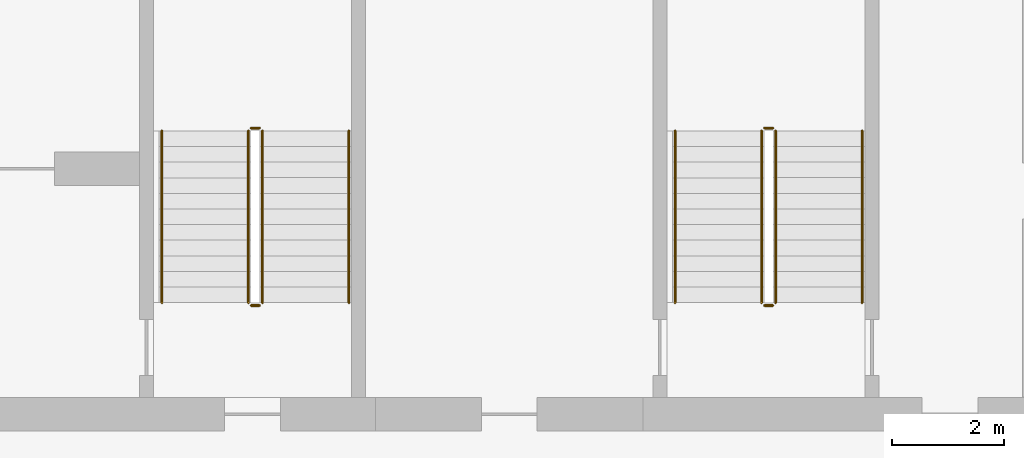
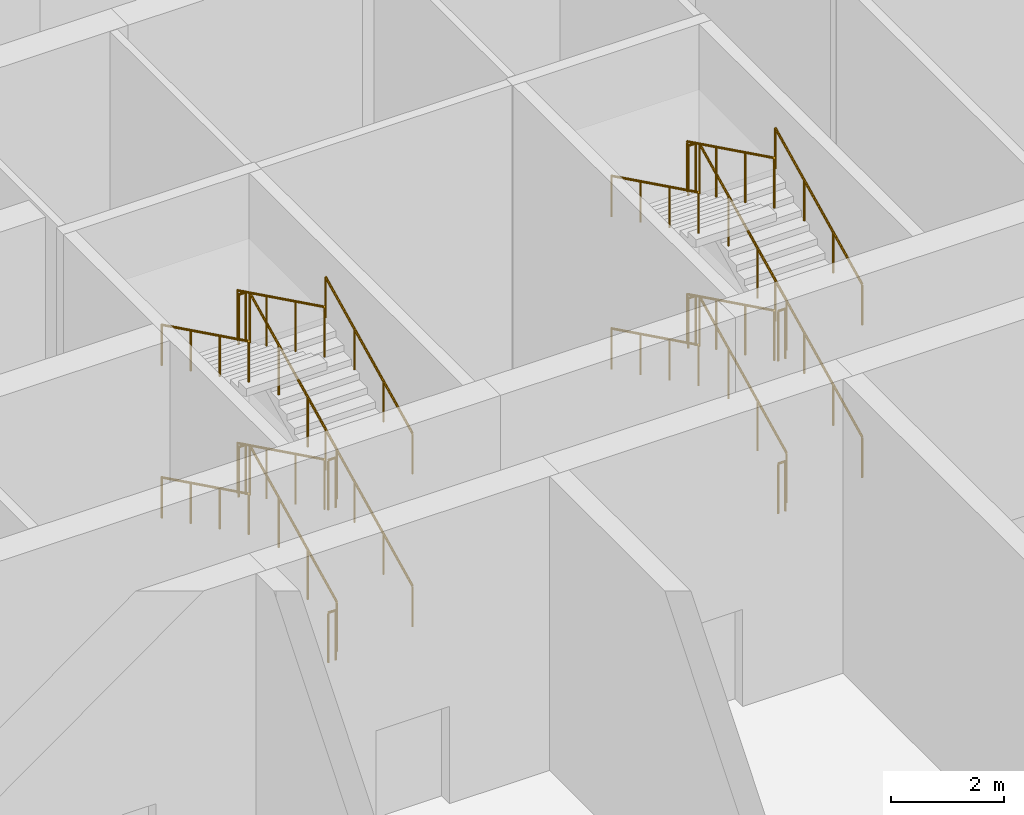
# One storey, part 15 of 15: 24 railings.
"""IFC4 building model written with IfcOpenShell, lengths in metres."""

from ifc_helpers import new_model, si_unit, direction, frame, origin, origin_2d, place, context, subcontext, project, spatial, circle, extrude, material, type_object, element, save


model = new_model("IFC4")

# Units and contexts
model_context = context("Model", 3, precision=1e-05, world=origin(), true_north=direction((0.0, 1.0)))
body_context = subcontext(model_context, "Body", "Model", "MODEL_VIEW")
ifc_project = project(units=[si_unit("LENGTHUNIT", "METRE"), si_unit("AREAUNIT", "SQUARE_METRE"), si_unit("VOLUMEUNIT", "CUBIC_METRE"), si_unit("PLANEANGLEUNIT", "RADIAN"), si_unit("MASSUNIT", "GRAM", prefix="KILO")], contexts=[model_context])

# Site, building, storey
site_placement = place(None, origin())
site = spatial("IfcSite", under=ifc_project, at=site_placement, CompositionType="ELEMENT")
building_placement = place(site_placement, origin())
building = spatial("IfcBuilding", under=site, at=building_placement, Name="Poui Terraces", CompositionType="ELEMENT")
storey_placement = place(building_placement, frame((0.0, 0.0, 66.300048828125)))
storey = spatial("IfcBuildingStorey", under=building, at=storey_placement, Name="L18", CompositionType="ELEMENT", Elevation=66.300048828125)

# Railings
ifc_material_1 = material(Name="Galvanised steel balustrade", Category="steel")
railing_type_1 = type_object("IfcRailingType", Name="STAIR GUARD 1100", PredefinedType="GUARDRAIL", material=ifc_material_1)
railing_1_placement = place(storey_placement, frame((70.27490234375, 16.60009765625, 0.137451171875)))
element("IfcRailing", 1, at=railing_1_placement, inside=storey, type_object=railing_type_1, Name="L18 ST-CE stair guard 1", PredefinedType="GUARDRAIL", context=body_context, shape_type="SweptSolid", body=[
    extrude(circle(Radius=0.02392578125, at=origin_2d()), frame((0.0, 0.0, 1.076171875), z_axis=(0.0, 0.897606190399, 0.440798283751), x_axis=(-1.0, 0.0, 0.0)), (0.0, 0.0, 1.0), 3.43115234375),
    extrude(circle(Radius=0.02099609375, at=origin_2d()), origin(), (0.0, 0.0, 1.0), 1.052001953125),
    extrude(circle(Radius=0.02099609375, at=origin_2d()), frame((0.0, 1.026611328125, 0.504150390625)), (0.0, 0.0, 1.0), 1.052001953125),
    extrude(circle(Radius=0.02099609375, at=origin_2d()), frame((0.0, 2.05322265625, 1.00830078125)), (0.0, 0.0, 1.0), 1.052001953125),
    extrude(circle(Radius=0.02099609375, at=origin_2d()), frame((0.0, 3.079833984375, 1.512451171875)), (0.0, 0.0, 1.0), 1.052001953125),
])
railing_2_placement = place(storey_placement, frame((70.22509765625, 19.72998046875, 1.64990234375)))
element("IfcRailing", 2, at=railing_2_placement, inside=storey, type_object=railing_type_1, Name="L18 ST-CE stair guard 2", PredefinedType="GUARDRAIL", context=body_context, shape_type="SweptSolid", body=[
    extrude(circle(Radius=0.02392578125, at=origin_2d()), frame((0.0, 0.0, 1.076171875), z_axis=(-1.0, 0.0, 0.0), x_axis=(0.0, -1.0, 0.0)), (0.0, 0.0, 1.0), 0.150146484375),
    extrude(circle(Radius=0.02099609375, at=origin_2d()), origin(), (0.0, 0.0, 1.0), 1.052001953125),
    extrude(circle(Radius=0.02099609375, at=origin_2d()), frame((-0.150146484375, 0.0, 0.0)), (0.0, 0.0, 1.0), 1.052001953125),
])
railing_3_placement = place(storey_placement, frame((70.02490234375, 19.679931640625, 1.787353515625)))
element("IfcRailing", 3, at=railing_3_placement, inside=storey, type_object=railing_type_1, Name="L18 ST-CE stair guard 3", PredefinedType="GUARDRAIL", context=body_context, shape_type="SweptSolid", body=[
    extrude(circle(Radius=0.02392578125, at=origin_2d()), frame((0.0, 0.0, 1.076171875), z_axis=(0.0, -0.897578036475, 0.440855609512), x_axis=(1.0, 0.0, 0.0)), (0.0, 0.0, 1.0), 3.43115234375),
    extrude(circle(Radius=0.02099609375, at=origin_2d()), origin(), (0.0, 0.0, 1.0), 1.052001953125),
    extrude(circle(Radius=0.02099609375, at=origin_2d()), frame((0.0, -1.026611328125, 0.504150390625)), (0.0, 0.0, 1.0), 1.052001953125),
    extrude(circle(Radius=0.02099609375, at=origin_2d()), frame((0.0, -2.05322265625, 1.008544921875)), (0.0, 0.0, 1.0), 1.052001953125),
    extrude(circle(Radius=0.02099609375, at=origin_2d()), frame((0.0, -3.079833984375, 1.5126953125)), (0.0, 0.0, 1.0), 1.052001953125),
])
railing_4_placement = place(storey_placement, frame((70.22509765625, 16.550048828125, 3.300048828125)))
element("IfcRailing", 4, at=railing_4_placement, inside=storey, type_object=railing_type_1, Name="L18 ST-CE stair guard 4", PredefinedType="GUARDRAIL", context=body_context, shape_type="SweptSolid", body=[
    extrude(circle(Radius=0.02392578125, at=origin_2d()), frame((0.0, 0.0, 1.076171875), z_axis=(-1.0, 0.0, 0.0), x_axis=(0.0, -1.0, 0.0)), (0.0, 0.0, 1.0), 0.150146484375),
    extrude(circle(Radius=0.02099609375, at=origin_2d()), origin(), (0.0, 0.0, 1.0), 1.052001953125),
    extrude(circle(Radius=0.02099609375, at=origin_2d()), frame((-0.150146484375, 0.0, 0.0)), (0.0, 0.0, 1.0), 1.052001953125),
])
railing_5_placement = place(storey_placement, frame((70.27490234375, 16.60009765625, 3.4375)))
element("IfcRailing", 5, at=railing_5_placement, inside=storey, type_object=railing_type_1, Name="L18 ST-CE stair guard 5", PredefinedType="GUARDRAIL", context=body_context, shape_type="SweptSolid", body=[
    extrude(circle(Radius=0.02392578125, at=origin_2d()), frame((0.0, 0.0, 1.076171875), z_axis=(0.0, 0.897606190399, 0.440798283751), x_axis=(-1.0, 0.0, 0.0)), (0.0, 0.0, 1.0), 3.43115234375),
    extrude(circle(Radius=0.02099609375, at=origin_2d()), origin(), (0.0, 0.0, 1.0), 1.052001953125),
    extrude(circle(Radius=0.02099609375, at=origin_2d()), frame((0.0, 1.026611328125, 0.504150390625)), (0.0, 0.0, 1.0), 1.052001953125),
    extrude(circle(Radius=0.02099609375, at=origin_2d()), frame((0.0, 2.05322265625, 1.00830078125)), (0.0, 0.0, 1.0), 1.052001953125),
    extrude(circle(Radius=0.02099609375, at=origin_2d()), frame((0.0, 3.079833984375, 1.512451171875)), (0.0, 0.0, 1.0), 1.052001953125),
])
railing_6_placement = place(storey_placement, frame((70.22509765625, 19.72998046875, 4.949951171875)))
element("IfcRailing", 6, at=railing_6_placement, inside=storey, type_object=railing_type_1, Name="L18 ST-CE stair guard 6", PredefinedType="GUARDRAIL", context=body_context, shape_type="SweptSolid", body=[
    extrude(circle(Radius=0.02392578125, at=origin_2d()), frame((0.0, 0.0, 1.076171875), z_axis=(-1.0, 0.0, 0.0), x_axis=(0.0, -1.0, 0.0)), (0.0, 0.0, 1.0), 0.150146484375),
    extrude(circle(Radius=0.02099609375, at=origin_2d()), origin(), (0.0, 0.0, 1.0), 1.052001953125),
    extrude(circle(Radius=0.02099609375, at=origin_2d()), frame((-0.150146484375, 0.0, 0.0)), (0.0, 0.0, 1.0), 1.052001953125),
])
railing_7_placement = place(storey_placement, frame((70.02490234375, 19.679931640625, 5.08740234375)))
element("IfcRailing", 7, at=railing_7_placement, inside=storey, type_object=railing_type_1, Name="L18 ST-CE stair guard 7", PredefinedType="GUARDRAIL", context=body_context, shape_type="SweptSolid", body=[
    extrude(circle(Radius=0.02392578125, at=origin_2d()), frame((0.0, 0.0, 1.076171875), z_axis=(0.0, -0.897606190399, 0.440798283751), x_axis=(1.0, 0.0, 0.0)), (0.0, 0.0, 1.0), 3.43115234375),
    extrude(circle(Radius=0.02099609375, at=origin_2d()), origin(), (0.0, 0.0, 1.0), 1.052001953125),
    extrude(circle(Radius=0.02099609375, at=origin_2d()), frame((0.0, -1.026611328125, 0.504150390625)), (0.0, 0.0, 1.0), 1.052001953125),
    extrude(circle(Radius=0.02099609375, at=origin_2d()), frame((0.0, -2.05322265625, 1.00830078125)), (0.0, 0.0, 1.0), 1.052001953125),
    extrude(circle(Radius=0.02099609375, at=origin_2d()), frame((0.0, -3.079833984375, 1.512451171875)), (0.0, 0.0, 1.0), 1.052001953125),
])
railing_8_placement = place(storey_placement, frame((70.22509765625, 16.550048828125, 0.0)))
element("IfcRailing", 8, at=railing_8_placement, inside=storey, type_object=railing_type_1, Name="L18 ST-CE stair guard 8", PredefinedType="GUARDRAIL", context=body_context, shape_type="SweptSolid", body=[
    extrude(circle(Radius=0.02392578125, at=origin_2d()), frame((0.0, 0.0, 1.076171875), z_axis=(-1.0, 0.0, 0.0), x_axis=(0.0, -1.0, 0.0)), (0.0, 0.0, 1.0), 0.150146484375),
    extrude(circle(Radius=0.02099609375, at=origin_2d()), origin(), (0.0, 0.0, 1.0), 1.052001953125),
    extrude(circle(Radius=0.02099609375, at=origin_2d()), frame((-0.150146484375, 0.0, 0.0)), (0.0, 0.0, 1.0), 1.052001953125),
])
railing_9_placement = place(storey_placement, frame((79.47509765625, 16.60009765625, 0.137451171875)))
element("IfcRailing", 9, at=railing_9_placement, inside=storey, type_object=railing_type_1, Name="L18 ST-E stair guard 1", PredefinedType="GUARDRAIL", context=body_context, shape_type="SweptSolid", body=[
    extrude(circle(Radius=0.02392578125, at=origin_2d()), frame((0.0, 0.0, 1.076171875), z_axis=(0.0, 0.897606190399, 0.440798283751), x_axis=(-1.0, 0.0, 0.0)), (0.0, 0.0, 1.0), 3.43115234375),
    extrude(circle(Radius=0.02099609375, at=origin_2d()), origin(), (0.0, 0.0, 1.0), 1.052001953125),
    extrude(circle(Radius=0.02099609375, at=origin_2d()), frame((0.0, 1.026611328125, 0.504150390625)), (0.0, 0.0, 1.0), 1.052001953125),
    extrude(circle(Radius=0.02099609375, at=origin_2d()), frame((0.0, 2.05322265625, 1.00830078125)), (0.0, 0.0, 1.0), 1.052001953125),
    extrude(circle(Radius=0.02099609375, at=origin_2d()), frame((0.0, 3.079833984375, 1.512451171875)), (0.0, 0.0, 1.0), 1.052001953125),
])
railing_10_placement = place(storey_placement, frame((79.425048828125, 19.72998046875, 1.64990234375)))
element("IfcRailing", 10, at=railing_10_placement, inside=storey, type_object=railing_type_1, Name="L18 ST-E stair guard 2", PredefinedType="GUARDRAIL", context=body_context, shape_type="SweptSolid", body=[
    extrude(circle(Radius=0.02392578125, at=origin_2d()), frame((0.0, 0.0, 1.076171875), z_axis=(-1.0, 0.0, 0.0), x_axis=(0.0, -1.0, 0.0)), (0.0, 0.0, 1.0), 0.150146484375),
    extrude(circle(Radius=0.02099609375, at=origin_2d()), origin(), (0.0, 0.0, 1.0), 1.052001953125),
    extrude(circle(Radius=0.02099609375, at=origin_2d()), frame((-0.150146484375, 0.0, 0.0)), (0.0, 0.0, 1.0), 1.052001953125),
])
railing_11_placement = place(storey_placement, frame((79.22509765625, 19.679931640625, 1.787353515625)))
element("IfcRailing", 11, at=railing_11_placement, inside=storey, type_object=railing_type_1, Name="L18 ST-E stair guard 3", PredefinedType="GUARDRAIL", context=body_context, shape_type="SweptSolid", body=[
    extrude(circle(Radius=0.02392578125, at=origin_2d()), frame((0.0, 0.0, 1.076171875), z_axis=(0.0, -0.897578036475, 0.440855609512), x_axis=(1.0, 0.0, 0.0)), (0.0, 0.0, 1.0), 3.43115234375),
    extrude(circle(Radius=0.02099609375, at=origin_2d()), origin(), (0.0, 0.0, 1.0), 1.052001953125),
    extrude(circle(Radius=0.02099609375, at=origin_2d()), frame((0.0, -1.026611328125, 0.504150390625)), (0.0, 0.0, 1.0), 1.052001953125),
    extrude(circle(Radius=0.02099609375, at=origin_2d()), frame((0.0, -2.05322265625, 1.008544921875)), (0.0, 0.0, 1.0), 1.052001953125),
    extrude(circle(Radius=0.02099609375, at=origin_2d()), frame((0.0, -3.079833984375, 1.5126953125)), (0.0, 0.0, 1.0), 1.052001953125),
])
railing_12_placement = place(storey_placement, frame((79.425048828125, 16.550048828125, 3.300048828125)))
element("IfcRailing", 12, at=railing_12_placement, inside=storey, type_object=railing_type_1, Name="L18 ST-E stair guard 4", PredefinedType="GUARDRAIL", context=body_context, shape_type="SweptSolid", body=[
    extrude(circle(Radius=0.02392578125, at=origin_2d()), frame((0.0, 0.0, 1.076171875), z_axis=(-1.0, 0.0, 0.0), x_axis=(0.0, -1.0, 0.0)), (0.0, 0.0, 1.0), 0.150146484375),
    extrude(circle(Radius=0.02099609375, at=origin_2d()), origin(), (0.0, 0.0, 1.0), 1.052001953125),
    extrude(circle(Radius=0.02099609375, at=origin_2d()), frame((-0.150146484375, 0.0, 0.0)), (0.0, 0.0, 1.0), 1.052001953125),
])
railing_13_placement = place(storey_placement, frame((79.47509765625, 16.60009765625, 3.4375)))
element("IfcRailing", 13, at=railing_13_placement, inside=storey, type_object=railing_type_1, Name="L18 ST-E stair guard 5", PredefinedType="GUARDRAIL", context=body_context, shape_type="SweptSolid", body=[
    extrude(circle(Radius=0.02392578125, at=origin_2d()), frame((0.0, 0.0, 1.076171875), z_axis=(0.0, 0.897606190399, 0.440798283751), x_axis=(-1.0, 0.0, 0.0)), (0.0, 0.0, 1.0), 3.43115234375),
    extrude(circle(Radius=0.02099609375, at=origin_2d()), origin(), (0.0, 0.0, 1.0), 1.052001953125),
    extrude(circle(Radius=0.02099609375, at=origin_2d()), frame((0.0, 1.026611328125, 0.504150390625)), (0.0, 0.0, 1.0), 1.052001953125),
    extrude(circle(Radius=0.02099609375, at=origin_2d()), frame((0.0, 2.05322265625, 1.00830078125)), (0.0, 0.0, 1.0), 1.052001953125),
    extrude(circle(Radius=0.02099609375, at=origin_2d()), frame((0.0, 3.079833984375, 1.512451171875)), (0.0, 0.0, 1.0), 1.052001953125),
])
railing_14_placement = place(storey_placement, frame((79.425048828125, 19.72998046875, 4.949951171875)))
element("IfcRailing", 14, at=railing_14_placement, inside=storey, type_object=railing_type_1, Name="L18 ST-E stair guard 6", PredefinedType="GUARDRAIL", context=body_context, shape_type="SweptSolid", body=[
    extrude(circle(Radius=0.02392578125, at=origin_2d()), frame((0.0, 0.0, 1.076171875), z_axis=(-1.0, 0.0, 0.0), x_axis=(0.0, -1.0, 0.0)), (0.0, 0.0, 1.0), 0.150146484375),
    extrude(circle(Radius=0.02099609375, at=origin_2d()), origin(), (0.0, 0.0, 1.0), 1.052001953125),
    extrude(circle(Radius=0.02099609375, at=origin_2d()), frame((-0.150146484375, 0.0, 0.0)), (0.0, 0.0, 1.0), 1.052001953125),
])
railing_15_placement = place(storey_placement, frame((79.22509765625, 19.679931640625, 5.08740234375)))
element("IfcRailing", 15, at=railing_15_placement, inside=storey, type_object=railing_type_1, Name="L18 ST-E stair guard 7", PredefinedType="GUARDRAIL", context=body_context, shape_type="SweptSolid", body=[
    extrude(circle(Radius=0.02392578125, at=origin_2d()), frame((0.0, 0.0, 1.076171875), z_axis=(0.0, -0.897606190399, 0.440798283751), x_axis=(1.0, 0.0, 0.0)), (0.0, 0.0, 1.0), 3.43115234375),
    extrude(circle(Radius=0.02099609375, at=origin_2d()), origin(), (0.0, 0.0, 1.0), 1.052001953125),
    extrude(circle(Radius=0.02099609375, at=origin_2d()), frame((0.0, -1.026611328125, 0.504150390625)), (0.0, 0.0, 1.0), 1.052001953125),
    extrude(circle(Radius=0.02099609375, at=origin_2d()), frame((0.0, -2.05322265625, 1.00830078125)), (0.0, 0.0, 1.0), 1.052001953125),
    extrude(circle(Radius=0.02099609375, at=origin_2d()), frame((0.0, -3.079833984375, 1.512451171875)), (0.0, 0.0, 1.0), 1.052001953125),
])
railing_16_placement = place(storey_placement, frame((79.425048828125, 16.550048828125, 0.0)))
element("IfcRailing", 16, at=railing_16_placement, inside=storey, type_object=railing_type_1, Name="L18 ST-E stair guard 8", PredefinedType="GUARDRAIL", context=body_context, shape_type="SweptSolid", body=[
    extrude(circle(Radius=0.02392578125, at=origin_2d()), frame((0.0, 0.0, 1.076171875), z_axis=(-1.0, 0.0, 0.0), x_axis=(0.0, -1.0, 0.0)), (0.0, 0.0, 1.0), 0.150146484375),
    extrude(circle(Radius=0.02099609375, at=origin_2d()), origin(), (0.0, 0.0, 1.0), 1.052001953125),
    extrude(circle(Radius=0.02099609375, at=origin_2d()), frame((-0.150146484375, 0.0, 0.0)), (0.0, 0.0, 1.0), 1.052001953125),
])
ifc_material_2 = material(Name="Stainless steel handrail", Category="steel")
railing_type_2 = type_object("IfcRailingType", Name="STAIR HANDRAIL 900", PredefinedType="HANDRAIL", material=ifc_material_2)
railing_17_placement = place(storey_placement, frame((71.824951171875, 16.60009765625, 0.137451171875)))
element("IfcRailing", 17, at=railing_17_placement, inside=storey, type_object=railing_type_2, Name="L18 ST-CE stair handrail 1", PredefinedType="HANDRAIL", context=body_context, shape_type="SweptSolid", body=[
    extrude(circle(Radius=0.02392578125, at=origin_2d()), frame((0.0, 0.0, 0.8759765625), z_axis=(0.0, 0.897606190399, 0.440798283751), x_axis=(-1.0, 0.0, 0.0)), (0.0, 0.0, 1.0), 3.43115234375),
    extrude(circle(Radius=0.02099609375, at=origin_2d()), origin(), (0.0, 0.0, 1.0), 0.851806640625),
    extrude(circle(Radius=0.02099609375, at=origin_2d()), frame((0.0, 1.026611328125, 0.504150390625)), (0.0, 0.0, 1.0), 0.851806640625),
    extrude(circle(Radius=0.02099609375, at=origin_2d()), frame((0.0, 2.05322265625, 1.00830078125)), (0.0, 0.0, 1.0), 0.851806640625),
    extrude(circle(Radius=0.02099609375, at=origin_2d()), frame((0.0, 3.079833984375, 1.512451171875)), (0.0, 0.0, 1.0), 0.851806640625),
])
railing_18_placement = place(storey_placement, frame((68.47509765625, 19.679931640625, 1.787353515625)))
element("IfcRailing", 18, at=railing_18_placement, inside=storey, type_object=railing_type_2, Name="L18 ST-CE stair handrail 2", PredefinedType="HANDRAIL", context=body_context, shape_type="SweptSolid", body=[
    extrude(circle(Radius=0.02392578125, at=origin_2d()), frame((0.0, 0.0, 0.8759765625), z_axis=(0.0, -0.897578036475, 0.440855609512), x_axis=(1.0, 0.0, 0.0)), (0.0, 0.0, 1.0), 3.43115234375),
    extrude(circle(Radius=0.02099609375, at=origin_2d()), origin(), (0.0, 0.0, 1.0), 0.851806640625),
    extrude(circle(Radius=0.02099609375, at=origin_2d()), frame((0.0, -1.026611328125, 0.504150390625)), (0.0, 0.0, 1.0), 0.851806640625),
    extrude(circle(Radius=0.02099609375, at=origin_2d()), frame((0.0, -2.05322265625, 1.008544921875)), (0.0, 0.0, 1.0), 0.851806640625),
    extrude(circle(Radius=0.02099609375, at=origin_2d()), frame((0.0, -3.079833984375, 1.5126953125)), (0.0, 0.0, 1.0), 0.851806640625),
])
railing_19_placement = place(storey_placement, frame((71.824951171875, 16.60009765625, 3.4375)))
element("IfcRailing", 19, at=railing_19_placement, inside=storey, type_object=railing_type_2, Name="L18 ST-CE stair handrail 3", PredefinedType="HANDRAIL", context=body_context, shape_type="SweptSolid", body=[
    extrude(circle(Radius=0.02392578125, at=origin_2d()), frame((0.0, 0.0, 0.8759765625), z_axis=(0.0, 0.897606190399, 0.440798283751), x_axis=(-1.0, 0.0, 0.0)), (0.0, 0.0, 1.0), 3.43115234375),
    extrude(circle(Radius=0.02099609375, at=origin_2d()), origin(), (0.0, 0.0, 1.0), 0.851806640625),
    extrude(circle(Radius=0.02099609375, at=origin_2d()), frame((0.0, 1.026611328125, 0.504150390625)), (0.0, 0.0, 1.0), 0.851806640625),
    extrude(circle(Radius=0.02099609375, at=origin_2d()), frame((0.0, 2.05322265625, 1.00830078125)), (0.0, 0.0, 1.0), 0.851806640625),
    extrude(circle(Radius=0.02099609375, at=origin_2d()), frame((0.0, 3.079833984375, 1.512451171875)), (0.0, 0.0, 1.0), 0.851806640625),
])
railing_20_placement = place(storey_placement, frame((68.47509765625, 19.679931640625, 5.08740234375)))
element("IfcRailing", 20, at=railing_20_placement, inside=storey, type_object=railing_type_2, Name="L18 ST-CE stair handrail 4", PredefinedType="HANDRAIL", context=body_context, shape_type="SweptSolid", body=[
    extrude(circle(Radius=0.02392578125, at=origin_2d()), frame((0.0, 0.0, 0.8759765625), z_axis=(0.0, -0.897606190399, 0.440798283751), x_axis=(1.0, 0.0, 0.0)), (0.0, 0.0, 1.0), 3.43115234375),
    extrude(circle(Radius=0.02099609375, at=origin_2d()), origin(), (0.0, 0.0, 1.0), 0.851806640625),
    extrude(circle(Radius=0.02099609375, at=origin_2d()), frame((0.0, -1.026611328125, 0.504150390625)), (0.0, 0.0, 1.0), 0.851806640625),
    extrude(circle(Radius=0.02099609375, at=origin_2d()), frame((0.0, -2.05322265625, 1.00830078125)), (0.0, 0.0, 1.0), 0.851806640625),
    extrude(circle(Radius=0.02099609375, at=origin_2d()), frame((0.0, -3.079833984375, 1.512451171875)), (0.0, 0.0, 1.0), 0.851806640625),
])
railing_21_placement = place(storey_placement, frame((81.02490234375, 16.60009765625, 0.137451171875)))
element("IfcRailing", 21, at=railing_21_placement, inside=storey, type_object=railing_type_2, Name="L18 ST-E stair handrail 1", PredefinedType="HANDRAIL", context=body_context, shape_type="SweptSolid", body=[
    extrude(circle(Radius=0.02392578125, at=origin_2d()), frame((0.0, 0.0, 0.8759765625), z_axis=(0.0, 0.897606190399, 0.440798283751), x_axis=(-1.0, 0.0, 0.0)), (0.0, 0.0, 1.0), 3.43115234375),
    extrude(circle(Radius=0.02099609375, at=origin_2d()), origin(), (0.0, 0.0, 1.0), 0.851806640625),
    extrude(circle(Radius=0.02099609375, at=origin_2d()), frame((0.0, 1.026611328125, 0.504150390625)), (0.0, 0.0, 1.0), 0.851806640625),
    extrude(circle(Radius=0.02099609375, at=origin_2d()), frame((0.0, 2.05322265625, 1.00830078125)), (0.0, 0.0, 1.0), 0.851806640625),
    extrude(circle(Radius=0.02099609375, at=origin_2d()), frame((0.0, 3.079833984375, 1.512451171875)), (0.0, 0.0, 1.0), 0.851806640625),
])
railing_22_placement = place(storey_placement, frame((77.675048828125, 19.679931640625, 1.787353515625)))
element("IfcRailing", 22, at=railing_22_placement, inside=storey, type_object=railing_type_2, Name="L18 ST-E stair handrail 2", PredefinedType="HANDRAIL", context=body_context, shape_type="SweptSolid", body=[
    extrude(circle(Radius=0.02392578125, at=origin_2d()), frame((0.0, 0.0, 0.8759765625), z_axis=(0.0, -0.897578036475, 0.440855609512), x_axis=(1.0, 0.0, 0.0)), (0.0, 0.0, 1.0), 3.43115234375),
    extrude(circle(Radius=0.02099609375, at=origin_2d()), origin(), (0.0, 0.0, 1.0), 0.851806640625),
    extrude(circle(Radius=0.02099609375, at=origin_2d()), frame((0.0, -1.026611328125, 0.504150390625)), (0.0, 0.0, 1.0), 0.851806640625),
    extrude(circle(Radius=0.02099609375, at=origin_2d()), frame((0.0, -2.05322265625, 1.008544921875)), (0.0, 0.0, 1.0), 0.851806640625),
    extrude(circle(Radius=0.02099609375, at=origin_2d()), frame((0.0, -3.079833984375, 1.5126953125)), (0.0, 0.0, 1.0), 0.851806640625),
])
railing_23_placement = place(storey_placement, frame((81.02490234375, 16.60009765625, 3.4375)))
element("IfcRailing", 23, at=railing_23_placement, inside=storey, type_object=railing_type_2, Name="L18 ST-E stair handrail 3", PredefinedType="HANDRAIL", context=body_context, shape_type="SweptSolid", body=[
    extrude(circle(Radius=0.02392578125, at=origin_2d()), frame((0.0, 0.0, 0.8759765625), z_axis=(0.0, 0.897606190399, 0.440798283751), x_axis=(-1.0, 0.0, 0.0)), (0.0, 0.0, 1.0), 3.43115234375),
    extrude(circle(Radius=0.02099609375, at=origin_2d()), origin(), (0.0, 0.0, 1.0), 0.851806640625),
    extrude(circle(Radius=0.02099609375, at=origin_2d()), frame((0.0, 1.026611328125, 0.504150390625)), (0.0, 0.0, 1.0), 0.851806640625),
    extrude(circle(Radius=0.02099609375, at=origin_2d()), frame((0.0, 2.05322265625, 1.00830078125)), (0.0, 0.0, 1.0), 0.851806640625),
    extrude(circle(Radius=0.02099609375, at=origin_2d()), frame((0.0, 3.079833984375, 1.512451171875)), (0.0, 0.0, 1.0), 0.851806640625),
])
railing_24_placement = place(storey_placement, frame((77.675048828125, 19.679931640625, 5.08740234375)))
element("IfcRailing", 24, at=railing_24_placement, inside=storey, type_object=railing_type_2, Name="L18 ST-E stair handrail 4", PredefinedType="HANDRAIL", context=body_context, shape_type="SweptSolid", body=[
    extrude(circle(Radius=0.02392578125, at=origin_2d()), frame((0.0, 0.0, 0.8759765625), z_axis=(0.0, -0.897606190399, 0.440798283751), x_axis=(1.0, 0.0, 0.0)), (0.0, 0.0, 1.0), 3.43115234375),
    extrude(circle(Radius=0.02099609375, at=origin_2d()), origin(), (0.0, 0.0, 1.0), 0.851806640625),
    extrude(circle(Radius=0.02099609375, at=origin_2d()), frame((0.0, -1.026611328125, 0.504150390625)), (0.0, 0.0, 1.0), 0.851806640625),
    extrude(circle(Radius=0.02099609375, at=origin_2d()), frame((0.0, -2.05322265625, 1.00830078125)), (0.0, 0.0, 1.0), 0.851806640625),
    extrude(circle(Radius=0.02099609375, at=origin_2d()), frame((0.0, -3.079833984375, 1.512451171875)), (0.0, 0.0, 1.0), 0.851806640625),
])

save(model, "model.ifc")
